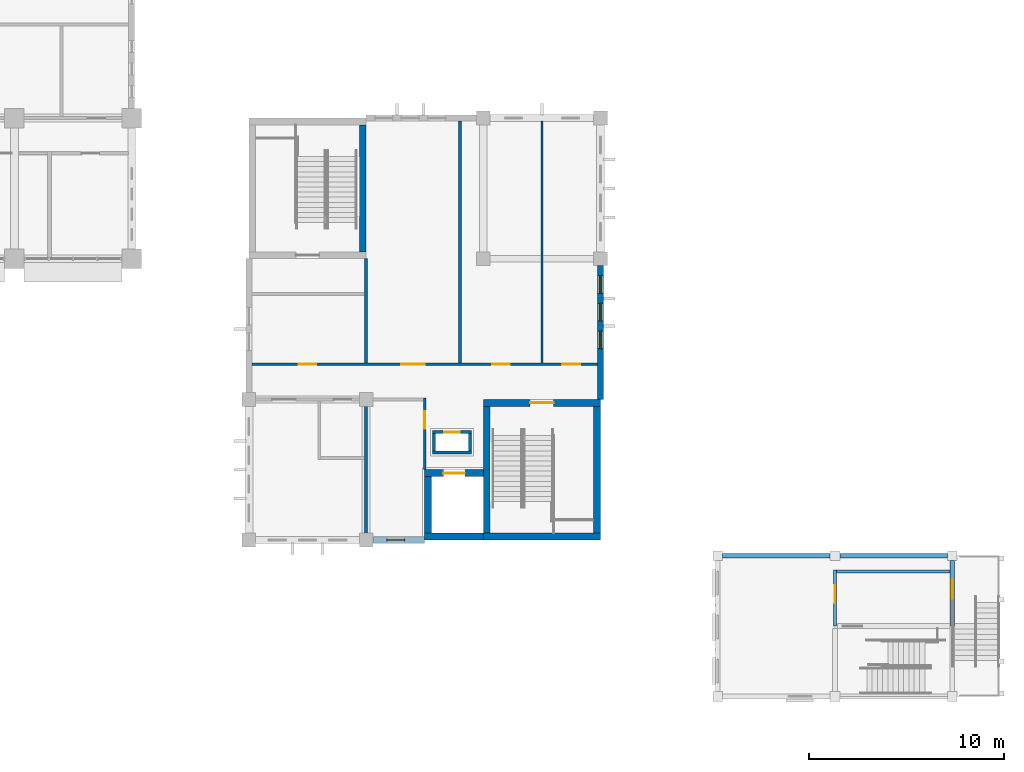
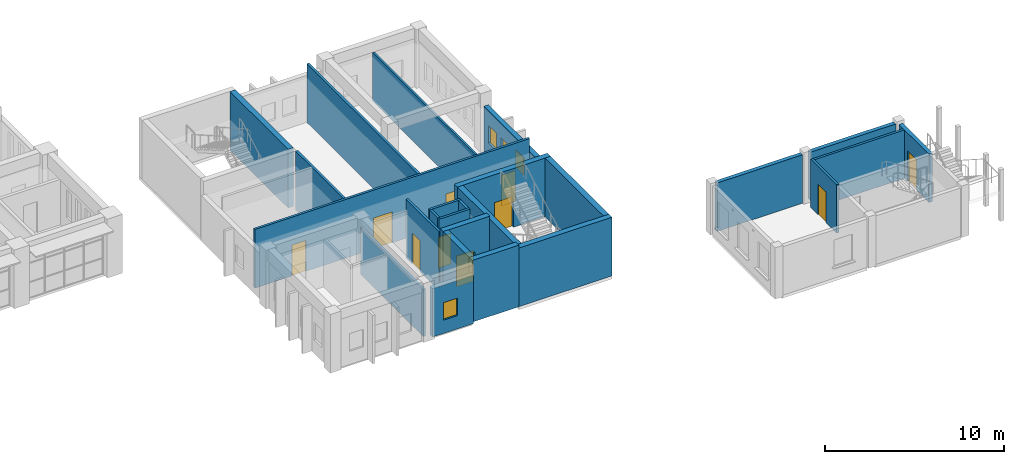
# One storey, part 66 of 92: 25 walls, 10 doors, 4 windows, 14 openings.
"""IFC4 building model written with IfcOpenShell, lengths in metres."""

from ifc_helpers import new_model, si_unit, direction, frame, frame_2d, origin, place, context, subcontext, project, spatial, rectangle, extrude, material, layer, layer_set, type_object, element, fill, save


model = new_model("IFC4")

# Units and contexts
model_context = context("Model", 3, precision=1e-05, world=origin(), true_north=direction((0.0, 1.0)))
body_context = subcontext(model_context, "Body", "Model", "MODEL_VIEW")
ifc_project = project(units=[si_unit("LENGTHUNIT", "METRE"), si_unit("AREAUNIT", "SQUARE_METRE"), si_unit("VOLUMEUNIT", "CUBIC_METRE"), si_unit("PLANEANGLEUNIT", "RADIAN"), si_unit("MASSUNIT", "GRAM", prefix="KILO")], contexts=[model_context])

# Site, building, storey
site_placement = place(None, origin())
site = spatial("IfcSite", under=ifc_project, at=site_placement, CompositionType="ELEMENT")
building_placement = place(site_placement, origin())
building = spatial("IfcBuilding", under=site, at=building_placement, Name="Laocheng Heights Fire and Rescue Headquarters", CompositionType="ELEMENT")
storey_placement = place(building_placement, frame((0.0, 0.0, 12.60009765625)))
storey = spatial("IfcBuildingStorey", under=building, at=storey_placement, Name="L03", CompositionType="ELEMENT", Elevation=12.60009765625)

# Walls
ifc_material_1 = material(Name="Gypsum plaster")
ifc_layer_1 = layer(ifc_material_1, 0.010009765625, Name="PLASTER", Category="plaster")
ifc_material_2 = material(Name="Concrete blockwork MU10", Category="masonry")
ifc_layer_2 = layer(ifc_material_2, 0.1298828125, Name="BLOCKWORK", Category="masonry")
ifc_layer_3 = layer(ifc_material_1, 0.010009765625, Name="PLASTER", Category="plaster")
ifc_layer_set_1 = layer_set([ifc_layer_1, ifc_layer_2, ifc_layer_3], Name="Concrete blockwork MU10")
wall_type_1 = type_object("IfcWallType", Name="BLOCKWORK CORRIDOR WALL 150 EI 60 CREW WING", PredefinedType="PARTITIONING", material=ifc_layer_set_1)
wall_1_placement = place(storey_placement, frame((96.0, 36.14990234375, 0.0), z_axis=(0.0, 0.0, 1.0), x_axis=(0.0, 1.0, 0.0)))
element("IfcWall", 1, at=wall_1_placement, inside=storey, type_object=wall_type_1, Name="Partition L03-002", PredefinedType="PARTITIONING", context=body_context, shape_type="SweptSolid", body=[
    extrude(rectangle(XDim=6.97509765625, YDim=0.14990234375, at=frame_2d((3.487548828125, 0.0))), origin(), (0.0, 0.0, 1.0), 3.199951171875),
])
wall_2_placement = place(storey_placement, frame((96.0, 45.074951171875, 0.0), z_axis=(0.0, 0.0, 1.0), x_axis=(0.0, 1.0, 0.0)))
element("IfcWall", 2, at=wall_2_placement, inside=storey, type_object=wall_type_1, Name="Partition L03-003", PredefinedType="PARTITIONING", context=body_context, shape_type="SweptSolid", body=[
    extrude(rectangle(XDim=5.324951171875, YDim=0.14990234375, at=frame_2d((2.66259765625, 0.0))), origin(), (0.0, 0.0, 1.0), 4.0),
])

# Wall, opening, door
wall_3_placement = place(storey_placement, frame((99.0, 39.60009765625, 0.0), z_axis=(0.0, 0.0, 1.0), x_axis=(0.0, 1.0, 0.0)))
wall_3 = element("IfcWall", 3, at=wall_3_placement, inside=storey, type_object=wall_type_1, Name="Partition L03-004", PredefinedType="PARTITIONING", context=body_context, shape_type="SweptSolid", body=[
    extrude(rectangle(XDim=3.6748046875, YDim=0.14990234375, at=frame_2d((1.83740234375, 0.0))), origin(), (0.0, 0.0, 1.0), 4.0),
])
opening_1_placement = place(wall_3_placement, frame((2.10009765625, 0.0, 0.0)))
opening_1 = element("IfcOpeningElement", 4, at=opening_1_placement, cuts=wall_3, Name="Opening L03-T01", PredefinedType="OPENING", context=body_context, shape_type="SweptSolid", body=[
    extrude(rectangle(XDim=0.89990234375, YDim=2.10009765625, at=frame_2d((0.449951171875, 1.050048828125))), frame((0.0, 0.0849609375, 0.0), z_axis=(0.0, -1.0, 0.0), x_axis=(1.0, 0.0, 0.0)), (0.0, 0.0, 1.0), 0.169921875),
])
ifc_material_3 = material(Name="Timber door leaf, veneered", Category="wood")
door_type_1 = type_object("IfcDoorType", Name="TIMBER DOOR 900x2100 EI 30 CREW WING", OperationType="SINGLE_SWING_LEFT", PredefinedType="DOOR", material=ifc_material_3)
door_1_placement = place(opening_1_placement, origin())
door_1 = element("IfcDoor", 5, at=door_1_placement, inside=storey, type_object=door_type_1, Name="Door L03-T01", OperationType="SINGLE_SWING_RIGHT", OverallHeight=2.10009765625, OverallWidth=0.89990234375, PredefinedType="DOOR", context=body_context, shape_type="SweptSolid", body=[
    extrude(rectangle(XDim=0.89990234375, YDim=2.10009765625, at=frame_2d((0.449951171875, 1.050048828125))), frame((0.0, 0.02490234375, 0.0), z_axis=(0.0, -1.0, 0.0), x_axis=(1.0, 0.0, 0.0)), (0.0, 0.0, 1.0), 0.050048828125),
])
fill(opening_1, door_1)

# Wall
wall_4_placement = place(storey_placement, frame((100.800048828125, 45.074951171875, 0.0), z_axis=(0.0, 0.0, 1.0), x_axis=(0.0, 1.0, 0.0)))
element("IfcWall", 6, at=wall_4_placement, inside=storey, type_object=wall_type_1, Name="Partition L03-005", PredefinedType="PARTITIONING", context=body_context, shape_type="SweptSolid", body=[
    extrude(rectangle(XDim=12.375, YDim=0.14990234375, at=frame_2d((6.1875, 0.0))), origin(), (0.0, 0.0, 1.0), 4.0),
])

# Wall, openings, doors
wall_5_placement = place(storey_placement, frame((90.14990234375, 45.0, 0.0), z_axis=(0.0, 0.0, 1.0), x_axis=(1.0, 0.0, 0.0)))
wall_5 = element("IfcWall", 7, at=wall_5_placement, inside=storey, type_object=wall_type_1, Name="Partition L03-009", PredefinedType="PARTITIONING", context=body_context, shape_type="SweptSolid", body=[
    extrude(rectangle(XDim=17.7001953125, YDim=0.14990234375, at=frame_2d((8.85009765625, 0.0))), origin(), (0.0, 0.0, 1.0), 4.0),
])
opening_2_placement = place(wall_5_placement, frame((2.39990234375, 0.0, 0.0)))
opening_2 = element("IfcOpeningElement", 8, at=opening_2_placement, cuts=wall_5, Name="Opening L03-T04", PredefinedType="OPENING", context=body_context, shape_type="SweptSolid", body=[
    extrude(rectangle(XDim=0.89990234375, YDim=2.10009765625, at=frame_2d((0.449951171875, 1.050048828125))), frame((0.0, 0.0849609375, 0.0), z_axis=(0.0, -1.0, 0.0), x_axis=(1.0, 0.0, 0.0)), (0.0, 0.0, 1.0), 0.169921875),
])
opening_3_placement = place(wall_5_placement, frame((7.64990234375, 0.0, 0.0)))
opening_3 = element("IfcOpeningElement", 9, at=opening_3_placement, cuts=wall_5, Name="Opening L03-T05", PredefinedType="OPENING", context=body_context, shape_type="SweptSolid", body=[
    extrude(rectangle(XDim=1.199951171875, YDim=2.10009765625, at=frame_2d((0.60009765625, 1.050048828125))), frame((0.0, 0.0849609375, 0.0), z_axis=(0.0, -1.0, 0.0), x_axis=(1.0, 0.0, 0.0)), (0.0, 0.0, 1.0), 0.169921875),
])
opening_4_placement = place(wall_5_placement, frame((12.300048828125, 0.0, 0.0)))
opening_4 = element("IfcOpeningElement", 10, at=opening_4_placement, cuts=wall_5, Name="Opening L03-T06", PredefinedType="OPENING", context=body_context, shape_type="SweptSolid", body=[
    extrude(rectangle(XDim=0.89990234375, YDim=2.10009765625, at=frame_2d((0.449951171875, 1.050048828125))), frame((0.0, 0.0849609375, 0.0), z_axis=(0.0, -1.0, 0.0), x_axis=(1.0, 0.0, 0.0)), (0.0, 0.0, 1.0), 0.169921875),
])
opening_5_placement = place(wall_5_placement, frame((15.89990234375, 0.0, 0.0)))
opening_5 = element("IfcOpeningElement", 11, at=opening_5_placement, cuts=wall_5, Name="Opening L03-T07", PredefinedType="OPENING", context=body_context, shape_type="SweptSolid", body=[
    extrude(rectangle(XDim=0.89990234375, YDim=2.10009765625, at=frame_2d((0.449951171875, 1.050048828125))), frame((0.0, 0.0849609375, 0.0), z_axis=(0.0, -1.0, 0.0), x_axis=(1.0, 0.0, 0.0)), (0.0, 0.0, 1.0), 0.169921875),
])
ifc_material_4 = material(Name="Timber door leaf, veneered", Category="wood")
door_type_2 = type_object("IfcDoorType", Name="TIMBER DOOR 1200x2100 EI 30 CREW WING", OperationType="SINGLE_SWING_LEFT", PredefinedType="DOOR", material=ifc_material_4)
door_2_placement = place(opening_3_placement, origin())
door_2 = element("IfcDoor", 12, at=door_2_placement, inside=storey, type_object=door_type_2, Name="Door L03-T05", OperationType="SINGLE_SWING_RIGHT", OverallHeight=2.10009765625, OverallWidth=1.199951171875, PredefinedType="DOOR", context=body_context, shape_type="SweptSolid", body=[
    extrude(rectangle(XDim=1.199951171875, YDim=2.10009765625, at=frame_2d((0.60009765625, 1.050048828125))), frame((0.0, 0.02490234375, 0.0), z_axis=(0.0, -1.0, 0.0), x_axis=(1.0, 0.0, 0.0)), (0.0, 0.0, 1.0), 0.050048828125),
])
fill(opening_3, door_2)
door_3_placement = place(opening_2_placement, origin())
door_3 = element("IfcDoor", 13, at=door_3_placement, inside=storey, type_object=door_type_1, Name="Door L03-T04", OperationType="SINGLE_SWING_LEFT", OverallHeight=2.10009765625, OverallWidth=0.89990234375, PredefinedType="DOOR", context=body_context, shape_type="SweptSolid", body=[
    extrude(rectangle(XDim=0.89990234375, YDim=2.10009765625, at=frame_2d((0.449951171875, 1.050048828125))), frame((0.0, 0.02490234375, 0.0), z_axis=(0.0, -1.0, 0.0), x_axis=(1.0, 0.0, 0.0)), (0.0, 0.0, 1.0), 0.050048828125),
])
fill(opening_2, door_3)
door_4_placement = place(opening_4_placement, origin())
door_4 = element("IfcDoor", 14, at=door_4_placement, inside=storey, type_object=door_type_1, Name="Door L03-T06", OperationType="SINGLE_SWING_LEFT", OverallHeight=2.10009765625, OverallWidth=0.89990234375, PredefinedType="DOOR", context=body_context, shape_type="SweptSolid", body=[
    extrude(rectangle(XDim=0.89990234375, YDim=2.10009765625, at=frame_2d((0.449951171875, 1.050048828125))), frame((0.0, 0.02490234375, 0.0), z_axis=(0.0, -1.0, 0.0), x_axis=(1.0, 0.0, 0.0)), (0.0, 0.0, 1.0), 0.050048828125),
])
fill(opening_4, door_4)
door_5_placement = place(opening_5_placement, origin())
door_5 = element("IfcDoor", 15, at=door_5_placement, inside=storey, type_object=door_type_1, Name="Door L03-T07", OperationType="SINGLE_SWING_RIGHT", OverallHeight=2.10009765625, OverallWidth=0.89990234375, PredefinedType="DOOR", context=body_context, shape_type="SweptSolid", body=[
    extrude(rectangle(XDim=0.89990234375, YDim=2.10009765625, at=frame_2d((0.449951171875, 1.050048828125))), frame((0.0, 0.02490234375, 0.0), z_axis=(0.0, -1.0, 0.0), x_axis=(1.0, 0.0, 0.0)), (0.0, 0.0, 1.0), 0.050048828125),
])
fill(opening_5, door_5)

# Wall, opening, door
ifc_material_5 = material(Name="Gypsum plaster")
ifc_layer_4 = layer(ifc_material_5, 0.010009765625, Name="PLASTER", Category="plaster")
ifc_material_6 = material(Name="Concrete blockwork MU10", Category="masonry")
ifc_layer_5 = layer(ifc_material_6, 0.1298828125, Name="BLOCKWORK", Category="masonry")
ifc_layer_6 = layer(ifc_material_5, 0.010009765625, Name="PLASTER", Category="plaster")
ifc_layer_set_2 = layer_set([ifc_layer_4, ifc_layer_5, ifc_layer_6], Name="Concrete blockwork MU10")
wall_type_2 = type_object("IfcWallType", Name="BLOCKWORK STAIR LANDING WALL 150 EI 120 DRILL TOWER", PredefinedType="PARTITIONING", material=ifc_layer_set_2)
wall_6_placement = place(storey_placement, frame((120.0, 31.60009765625, 1.39990234375), z_axis=(0.0, 0.0, 1.0), x_axis=(0.0, 1.0, 0.0)))
wall_6 = element("IfcWall", 16, at=wall_6_placement, inside=storey, type_object=wall_type_2, Name="Landing partition F5", PredefinedType="PARTITIONING", context=body_context, shape_type="SweptSolid", body=[
    extrude(rectangle(XDim=2.875, YDim=0.14990234375, at=frame_2d((1.4375, 0.0))), origin(), (0.0, 0.0, 1.0), 3.300048828125),
])
opening_6_placement = place(wall_6_placement, frame((1.1875, 0.0, 0.0)))
opening_6 = element("IfcOpeningElement", 17, at=opening_6_placement, cuts=wall_6, Name="Opening L03-L51", PredefinedType="OPENING", context=body_context, shape_type="SweptSolid", body=[
    extrude(rectangle(XDim=0.89990234375, YDim=2.10009765625, at=frame_2d((0.449951171875, 1.050048828125))), frame((0.0, 0.0849609375, 0.0), z_axis=(0.0, -1.0, 0.0), x_axis=(1.0, 0.0, 0.0)), (0.0, 0.0, 1.0), 0.169921875),
])
ifc_material_7 = material(Name="Steel door leaf, painted", Category="steel")
door_type_3 = type_object("IfcDoorType", Name="STEEL FIRE DOOR 900x2100 EI 90 DRILL TOWER", OperationType="SINGLE_SWING_LEFT", PredefinedType="DOOR", material=ifc_material_7)
door_6_placement = place(opening_6_placement, frame((0.89990234375, 0.0, 0.0), z_axis=(0.0, 0.0, 1.0), x_axis=(-1.0, 0.0, 0.0)))
door_6 = element("IfcDoor", 18, at=door_6_placement, inside=storey, type_object=door_type_3, Name="Door L03-L51", OperationType="SINGLE_SWING_LEFT", OverallHeight=2.10009765625, OverallWidth=0.89990234375, PredefinedType="DOOR", context=body_context, shape_type="SweptSolid", body=[
    extrude(rectangle(XDim=0.89990234375, YDim=2.10009765625, at=frame_2d((0.449951171875, 1.050048828125))), frame((0.0, 0.02490234375, 0.0), z_axis=(0.0, -1.0, 0.0), x_axis=(1.0, 0.0, 0.0)), (0.0, 0.0, 1.0), 0.050048828125),
])
fill(opening_6, door_6)

# Wall
wall_7_placement = place(storey_placement, frame((120.074951171875, 34.39990234375, 1.39990234375), z_axis=(0.0, 0.0, 1.0), x_axis=(1.0, 0.0, 0.0)))
element("IfcWall", 19, at=wall_7_placement, inside=storey, type_object=wall_type_2, Name="Landing partition F5", PredefinedType="PARTITIONING", context=body_context, shape_type="SweptSolid", body=[
    extrude(rectangle(XDim=5.800048828125, YDim=0.14990234375, at=frame_2d((2.89990234375, 0.0))), origin(), (0.0, 0.0, 1.0), 3.300048828125),
])

# Wall, openings, windows
ifc_material_8 = material(Name="Precast concrete C40/50", Category="concrete")
ifc_layer_7 = layer(ifc_material_8, 0.300048828125)
ifc_layer_set_3 = layer_set([ifc_layer_7], Name="Precast concrete C40/50")
wall_type_3 = type_object("IfcWallType", Name="PRECAST WALL PANEL CREW 300", PredefinedType="SOLIDWALL", material=ifc_layer_set_3)
wall_8_placement = place(storey_placement, frame((108.0, 43.199951171875, 0.0), z_axis=(0.0, 0.0, 1.0), x_axis=(0.0, 1.0, 0.0)))
wall_8 = element("IfcWall", 20, at=wall_8_placement, inside=storey, type_object=wall_type_3, Name="PRECAST WALL PANEL CREW CREW EAST L03", PredefinedType="SOLIDWALL", context=body_context, shape_type="SweptSolid", body=[
    extrude(rectangle(XDim=6.85009765625, YDim=0.300048828125, at=frame_2d((3.425048828125, 0.0))), origin(), (0.0, 0.0, 1.0), 3.099853515625),
])
opening_7_placement = place(wall_8_placement, frame((2.597412109375, 0.0, 0.89990234375)))
opening_7 = element("IfcOpeningElement", 21, at=opening_7_placement, cuts=wall_8, Name="Opening N2-W", PredefinedType="OPENING", context=body_context, shape_type="SweptSolid", body=[
    extrude(rectangle(XDim=0.89990234375, YDim=1.199951171875, at=frame_2d((0.449951171875, 0.60009765625))), frame((0.0, 0.159912109375, 0.0), z_axis=(0.0, -1.0, 0.0), x_axis=(1.0, 0.0, 0.0)), (0.0, 0.0, 1.0), 0.320068359375),
])
opening_8_placement = place(wall_8_placement, frame((4.014892578125, 0.0, 0.89990234375)))
opening_8 = element("IfcOpeningElement", 22, at=opening_8_placement, cuts=wall_8, Name="Opening N2-W", PredefinedType="OPENING", context=body_context, shape_type="SweptSolid", body=[
    extrude(rectangle(XDim=0.89990234375, YDim=1.199951171875, at=frame_2d((0.449951171875, 0.60009765625))), frame((0.0, 0.159912109375, 0.0), z_axis=(0.0, -1.0, 0.0), x_axis=(1.0, 0.0, 0.0)), (0.0, 0.0, 1.0), 0.320068359375),
])
opening_9_placement = place(wall_8_placement, frame((5.4326171875, 0.0, 0.89990234375)))
opening_9 = element("IfcOpeningElement", 23, at=opening_9_placement, cuts=wall_8, Name="Opening N2-W", PredefinedType="OPENING", context=body_context, shape_type="SweptSolid", body=[
    extrude(rectangle(XDim=0.89990234375, YDim=1.199951171875, at=frame_2d((0.449951171875, 0.60009765625))), frame((0.0, 0.159912109375, 0.0), z_axis=(0.0, -1.0, 0.0), x_axis=(1.0, 0.0, 0.0)), (0.0, 0.0, 1.0), 0.320068359375),
])
ifc_material_9 = material(Name="Low-e double glazing in aluminium frame", Category="aluminium")
window_type = type_object("IfcWindowType", Name="WINDOW 900 x 1200 CREW DORMITORY", PartitioningType="SINGLE_PANEL", PredefinedType="WINDOW", material=ifc_material_9)
window_1_placement = place(opening_7_placement, origin())
window_1 = element("IfcWindow", 24, at=window_1_placement, inside=storey, type_object=window_type, Name="CREW DORMITORY CREW EAST L03", OverallHeight=1.199951171875, OverallWidth=0.89990234375, PartitioningType="SINGLE_PANEL", PredefinedType="WINDOW", context=body_context, shape_type="SweptSolid", body=[
    extrude(rectangle(XDim=0.89990234375, YDim=1.199951171875, at=frame_2d((0.449951171875, 0.60009765625))), frame((0.0, 0.030029296875, 0.0), z_axis=(0.0, -1.0, 0.0), x_axis=(1.0, 0.0, 0.0)), (0.0, 0.0, 1.0), 0.06005859375),
])
fill(opening_7, window_1)
window_2_placement = place(opening_8_placement, origin())
window_2 = element("IfcWindow", 25, at=window_2_placement, inside=storey, type_object=window_type, Name="CREW DORMITORY CREW EAST L03", OverallHeight=1.199951171875, OverallWidth=0.89990234375, PartitioningType="SINGLE_PANEL", PredefinedType="WINDOW", context=body_context, shape_type="SweptSolid", body=[
    extrude(rectangle(XDim=0.89990234375, YDim=1.199951171875, at=frame_2d((0.449951171875, 0.60009765625))), frame((0.0, 0.030029296875, 0.0), z_axis=(0.0, -1.0, 0.0), x_axis=(1.0, 0.0, 0.0)), (0.0, 0.0, 1.0), 0.06005859375),
])
fill(opening_8, window_2)
window_3_placement = place(opening_9_placement, origin())
window_3 = element("IfcWindow", 26, at=window_3_placement, inside=storey, type_object=window_type, Name="CREW DORMITORY CREW EAST L03", OverallHeight=1.199951171875, OverallWidth=0.89990234375, PartitioningType="SINGLE_PANEL", PredefinedType="WINDOW", context=body_context, shape_type="SweptSolid", body=[
    extrude(rectangle(XDim=0.89990234375, YDim=1.199951171875, at=frame_2d((0.449951171875, 0.60009765625))), frame((0.0, 0.030029296875, 0.0), z_axis=(0.0, -1.0, 0.0), x_axis=(1.0, 0.0, 0.0)), (0.0, 0.0, 1.0), 0.06005859375),
])
fill(opening_9, window_3)

# Wall, opening, window
wall_9_placement = place(storey_placement, frame((96.35009765625, 36.0, 0.0), z_axis=(0.0, 0.0, 1.0), x_axis=(1.0, 0.0, 0.0)))
wall_9 = element("IfcWall", 27, at=wall_9_placement, inside=storey, type_object=wall_type_3, Name="PRECAST WALL PANEL CREW CREW SOUTH L03", PredefinedType="SOLIDWALL", context=body_context, shape_type="SweptSolid", body=[
    extrude(rectangle(XDim=2.64990234375, YDim=0.300048828125, at=frame_2d((1.324951171875, 0.0))), origin(), (0.0, 0.0, 1.0), 3.2998046875),
])
opening_10_placement = place(wall_9_placement, frame((0.715087890625, 0.0, 0.89990234375)))
opening_10 = element("IfcOpeningElement", 28, at=opening_10_placement, cuts=wall_9, Name="Opening N2-W", PredefinedType="OPENING", context=body_context, shape_type="SweptSolid", body=[
    extrude(rectangle(XDim=0.89990234375, YDim=1.199951171875, at=frame_2d((0.449951171875, 0.60009765625))), frame((0.0, 0.159912109375, 0.0), z_axis=(0.0, -1.0, 0.0), x_axis=(1.0, 0.0, 0.0)), (0.0, 0.0, 1.0), 0.320068359375),
])
window_4_placement = place(opening_10_placement, origin())
window_4 = element("IfcWindow", 29, at=window_4_placement, inside=storey, type_object=window_type, Name="CREW DORMITORY CREW SOUTH L03", OverallHeight=1.199951171875, OverallWidth=0.89990234375, PartitioningType="SINGLE_PANEL", PredefinedType="WINDOW", context=body_context, shape_type="SweptSolid", body=[
    extrude(rectangle(XDim=0.89990234375, YDim=1.199951171875, at=frame_2d((0.449951171875, 0.60009765625))), frame((0.0, 0.030029296875, 0.0), z_axis=(0.0, -1.0, 0.0), x_axis=(1.0, 0.0, 0.0)), (0.0, 0.0, 1.0), 0.06005859375),
])
fill(opening_10, window_4)

# Wall
ifc_material_10 = material(Name="Concrete C50", Category="concrete")
ifc_layer_8 = layer(ifc_material_10, 0.35009765625)
ifc_layer_set_4 = layer_set([ifc_layer_8], Name="Concrete C50")
wall_type_4 = type_object("IfcWallType", Name="RC LIFT SHAFT WALL 350", PredefinedType="SHEAR", material=ifc_layer_set_4)
wall_10_placement = place(storey_placement, frame((99.0, 36.175048828125, 0.0), z_axis=(0.0, 0.0, 1.0), x_axis=(1.0, 0.0, 0.0)))
element("IfcWall", 30, at=wall_10_placement, inside=storey, type_object=wall_type_4, Name="Lift shaft wall", PredefinedType="SHEAR", context=body_context, shape_type="SweptSolid", body=[
    extrude(rectangle(XDim=3.0, YDim=0.35009765625, at=frame_2d((1.5, 0.0))), origin(), (0.0, 0.0, 1.0), 4.199951171875),
])

# Wall, opening, door
wall_11_placement = place(storey_placement, frame((99.0, 39.425048828125, 0.0), z_axis=(0.0, 0.0, 1.0), x_axis=(1.0, 0.0, 0.0)))
wall_11 = element("IfcWall", 31, at=wall_11_placement, inside=storey, type_object=wall_type_4, Name="Lift shaft wall", PredefinedType="SHEAR", context=body_context, shape_type="SweptSolid", body=[
    extrude(rectangle(XDim=3.0, YDim=0.35009765625, at=frame_2d((1.5, 0.0))), origin(), (0.0, 0.0, 1.0), 4.199951171875),
])
opening_11_placement = place(wall_11_placement, frame((0.949951171875, 0.0, 0.0)))
opening_11 = element("IfcOpeningElement", 32, at=opening_11_placement, cuts=wall_11, Name="Opening L03-K11", PredefinedType="OPENING", context=body_context, shape_type="SweptSolid", body=[
    extrude(rectangle(XDim=1.10009765625, YDim=2.10009765625, at=frame_2d((0.550048828125, 1.050048828125))), frame((0.0, 0.18505859375, 0.0), z_axis=(0.0, -1.0, 0.0), x_axis=(1.0, 0.0, 0.0)), (0.0, 0.0, 1.0), 0.3701171875),
])
ifc_material_11 = material(Name="Stainless steel", Category="steel")
door_type_4 = type_object("IfcDoorType", Name="LANDING DOOR C-L1 SLIDING 1100x2100 E 120", OperationType="DOUBLE_DOOR_SLIDING", PredefinedType="DOOR", material=ifc_material_11)
door_7_placement = place(opening_11_placement, origin())
door_7 = element("IfcDoor", 33, at=door_7_placement, inside=storey, type_object=door_type_4, Name="Landing door C-L1", OperationType="DOUBLE_DOOR_SLIDING", OverallHeight=2.10009765625, OverallWidth=1.10009765625, PredefinedType="DOOR", context=body_context, shape_type="SweptSolid", body=[
    extrude(rectangle(XDim=1.10009765625, YDim=2.10009765625, at=frame_2d((0.550048828125, 1.050048828125))), frame((0.0, 0.02490234375, 0.0), z_axis=(0.0, -1.0, 0.0), x_axis=(1.0, 0.0, 0.0)), (0.0, 0.0, 1.0), 0.050048828125),
])
fill(opening_11, door_7)

# Walls
wall_12_placement = place(storey_placement, frame((99.175048828125, 36.35009765625, 0.0), z_axis=(0.0, 0.0, 1.0), x_axis=(0.0, 1.0, 0.0)))
element("IfcWall", 34, at=wall_12_placement, inside=storey, type_object=wall_type_4, Name="Lift shaft wall", PredefinedType="SHEAR", context=body_context, shape_type="SweptSolid", body=[
    extrude(rectangle(XDim=2.89990234375, YDim=0.35009765625, at=frame_2d((1.449951171875, 0.0))), origin(), (0.0, 0.0, 1.0), 4.199951171875),
])
ifc_material_12 = material(Name="Concrete C40", Category="concrete")
ifc_layer_9 = layer(ifc_material_12, 0.25)
ifc_layer_set_5 = layer_set([ifc_layer_9], Name="Concrete C40")
wall_type_5 = type_object("IfcWallType", Name="RC SHEAR WALL 250 BOARD-MARKED DRILL TOWER", PredefinedType="SHEAR", material=ifc_layer_set_5)
for number, where, z_axis, x_axis, name in (
    (35, (114.25, 35.199951171875, 1.39990234375), (0.0, 0.0, 1.0), (1.0, 0.0, 0.0), "Drill tower wall N F5"),
    (36, (120.25, 35.199951171875, 1.39990234375), (0.0, 0.0, 1.0), (1.0, 0.0, 0.0), "Drill tower wall N F5"),
):
    element("IfcWall", number, at=place(storey_placement, frame(where, z_axis=z_axis, x_axis=x_axis)), inside=storey, type_object=wall_type_5, Name=name, PredefinedType="SHEAR", context=body_context, shape_type="SweptSolid", body=[
        extrude(rectangle(XDim=5.5, YDim=0.25, at=frame_2d((2.75, 0.0))), origin(), (0.0, 0.0, 1.0), 3.300048828125),
    ])

# Wall, opening, door
wall_13_placement = place(storey_placement, frame((126.0, 31.60009765625, 1.39990234375), z_axis=(0.0, 0.0, 1.0), x_axis=(0.0, 1.0, 0.0)))
wall_13 = element("IfcWall", 37, at=wall_13_placement, inside=storey, type_object=wall_type_5, Name="Drill tower wall E F5", PredefinedType="SHEAR", context=body_context, shape_type="SweptSolid", body=[
    extrude(rectangle(XDim=3.349853515625, YDim=0.25, at=frame_2d((1.6748046875, 0.0))), origin(), (0.0, 0.0, 1.0), 3.300048828125),
])
opening_12_placement = place(wall_13_placement, frame((1.39990234375, 0.0, 0.0)))
opening_12 = element("IfcOpeningElement", 38, at=opening_12_placement, cuts=wall_13, Name="Opening L03-L01", PredefinedType="OPENING", context=body_context, shape_type="SweptSolid", body=[
    extrude(rectangle(XDim=1.0, YDim=2.10009765625, at=frame_2d((0.5, 1.050048828125))), frame((0.0, 0.135009765625, 0.0), z_axis=(0.0, -1.0, 0.0), x_axis=(1.0, 0.0, 0.0)), (0.0, 0.0, 1.0), 0.27001953125),
])
ifc_material_13 = material(Name="Steel door leaf, painted", Category="steel")
door_type_5 = type_object("IfcDoorType", Name="STEEL DOOR 1000x2100 EI 60 DRILL TOWER", OperationType="SINGLE_SWING_LEFT", PredefinedType="DOOR", material=ifc_material_13)
door_8_placement = place(opening_12_placement, origin())
door_8 = element("IfcDoor", 39, at=door_8_placement, inside=storey, type_object=door_type_5, Name="Door L03-L01", OperationType="SINGLE_SWING_RIGHT", OverallHeight=2.10009765625, OverallWidth=1.0, PredefinedType="DOOR", context=body_context, shape_type="SweptSolid", body=[
    extrude(rectangle(XDim=1.0, YDim=2.10009765625, at=frame_2d((0.5, 1.050048828125))), frame((0.0, 0.02490234375, 0.0), z_axis=(0.0, -1.0, 0.0), x_axis=(1.0, 0.0, 0.0)), (0.0, 0.0, 1.0), 0.050048828125),
])
fill(opening_12, door_8)

# Wall
ifc_material_14 = material(Name="Concrete C50", Category="concrete")
ifc_layer_10 = layer(ifc_material_14, 0.35009765625)
ifc_layer_set_6 = layer_set([ifc_layer_10], Name="Concrete C50")
wall_type_6 = type_object("IfcWallType", Name="RC STAIR ENCLOSURE WALL 350", PredefinedType="SHEAR", material=ifc_layer_set_6)
wall_14_placement = place(storey_placement, frame((102.0, 36.175048828125, 0.0), z_axis=(0.0, 0.0, 1.0), x_axis=(1.0, 0.0, 0.0)))
element("IfcWall", 40, at=wall_14_placement, inside=storey, type_object=wall_type_6, Name="Stair enclosure wall", PredefinedType="SHEAR", context=body_context, shape_type="SweptSolid", body=[
    extrude(rectangle(XDim=6.0, YDim=0.35009765625, at=frame_2d((3.0, 0.0))), origin(), (0.0, 0.0, 1.0), 4.0),
])

# Wall, opening, door
wall_15_placement = place(storey_placement, frame((102.0, 43.02490234375, 0.0), z_axis=(0.0, 0.0, 1.0), x_axis=(1.0, 0.0, 0.0)))
wall_15 = element("IfcWall", 41, at=wall_15_placement, inside=storey, type_object=wall_type_6, Name="Stair enclosure wall", PredefinedType="SHEAR", context=body_context, shape_type="SweptSolid", body=[
    extrude(rectangle(XDim=6.0, YDim=0.35009765625, at=frame_2d((3.0, 0.0))), origin(), (0.0, 0.0, 1.0), 4.0),
])
opening_13_placement = place(wall_15_placement, frame((2.39990234375, 0.0, 0.0)))
opening_13 = element("IfcOpeningElement", 42, at=opening_13_placement, cuts=wall_15, Name="Opening L03-K10", PredefinedType="OPENING", context=body_context, shape_type="SweptSolid", body=[
    extrude(rectangle(XDim=1.199951171875, YDim=2.10009765625, at=frame_2d((0.60009765625, 1.050048828125))), frame((0.0, 0.18505859375, 0.0), z_axis=(0.0, -1.0, 0.0), x_axis=(1.0, 0.0, 0.0)), (0.0, 0.0, 1.0), 0.3701171875),
])
ifc_material_15 = material(Name="Painted steel", Category="steel")
door_type_6 = type_object("IfcDoorType", Name="FIRE DOOR 1200x2100 EI 60", OperationType="SINGLE_SWING_LEFT", PredefinedType="DOOR", material=ifc_material_15)
door_9_placement = place(opening_13_placement, frame((1.199951171875, 0.0, 0.0), z_axis=(0.0, 0.0, 1.0), x_axis=(-1.0, 0.0, 0.0)))
door_9 = element("IfcDoor", 43, at=door_9_placement, inside=storey, type_object=door_type_6, Name="Stair C1 door", OperationType="SINGLE_SWING_RIGHT", OverallHeight=2.10009765625, OverallWidth=1.199951171875, PredefinedType="DOOR", context=body_context, shape_type="SweptSolid", body=[
    extrude(rectangle(XDim=1.199951171875, YDim=2.10009765625, at=frame_2d((0.60009765625, 1.050048828125))), frame((0.0, 0.02490234375, 0.0), z_axis=(0.0, -1.0, 0.0), x_axis=(1.0, 0.0, 0.0)), (0.0, 0.0, 1.0), 0.050048828125),
])
fill(opening_13, door_9)

# Walls
for number, where, z_axis, x_axis, name in (
    (44, (102.175048828125, 36.35009765625, 0.0), (0.0, 0.0, 1.0), (0.0, 1.0, 0.0), "Stair enclosure wall"),
    (45, (107.824951171875, 36.35009765625, 0.0), (0.0, 0.0, 1.0), (0.0, 1.0, 0.0), "Stair enclosure wall"),
    (46, (95.824951171875, 50.75, 0.0), (0.0, 0.0, 1.0), (0.0, 1.0, 0.0), "Stair enclosure wall"),
):
    element("IfcWall", number, at=place(storey_placement, frame(where, z_axis=z_axis, x_axis=x_axis)), inside=storey, type_object=wall_type_6, Name=name, PredefinedType="SHEAR", context=body_context, shape_type="SweptSolid", body=[
        extrude(rectangle(XDim=6.5, YDim=0.35009765625, at=frame_2d((3.25, 0.0))), origin(), (0.0, 0.0, 1.0), 4.0),
    ])
ifc_material_16 = material(Name="Concrete C30", Category="concrete")
ifc_layer_11 = layer(ifc_material_16, 0.14990234375)
ifc_layer_set_7 = layer_set([ifc_layer_11], Name="Concrete C30")
wall_type_7 = type_object("IfcWallType", Name="RISER SHAFT WALL 150", PredefinedType="SOLIDWALL", material=ifc_layer_set_7)
wall_16_placement = place(storey_placement, frame((99.39990234375, 40.47509765625, 0.0), z_axis=(0.0, 0.0, 1.0), x_axis=(1.0, 0.0, 0.0)))
element("IfcWall", 47, at=wall_16_placement, inside=storey, type_object=wall_type_7, Name="Riser shaft wall", PredefinedType="SOLIDWALL", context=body_context, shape_type="SweptSolid", body=[
    extrude(rectangle(XDim=2.0, YDim=0.14990234375, at=frame_2d((1.0, 0.0))), origin(), (0.0, 0.0, 1.0), 4.199951171875),
])

# Wall, opening, door
wall_17_placement = place(storey_placement, frame((99.39990234375, 41.52490234375, 0.0), z_axis=(0.0, 0.0, 1.0), x_axis=(1.0, 0.0, 0.0)))
wall_17 = element("IfcWall", 48, at=wall_17_placement, inside=storey, type_object=wall_type_7, Name="Riser shaft wall", PredefinedType="SOLIDWALL", context=body_context, shape_type="SweptSolid", body=[
    extrude(rectangle(XDim=2.0, YDim=0.14990234375, at=frame_2d((1.0, 0.0))), origin(), (0.0, 0.0, 1.0), 4.199951171875),
])
opening_14_placement = place(wall_17_placement, frame((0.60009765625, 0.0, 0.0)))
opening_14 = element("IfcOpeningElement", 49, at=opening_14_placement, cuts=wall_17, Name="Opening L03-K12", PredefinedType="OPENING", context=body_context, shape_type="SweptSolid", body=[
    extrude(rectangle(XDim=0.800048828125, YDim=2.10009765625, at=frame_2d((0.39990234375, 1.050048828125))), frame((0.0, 0.0849609375, 0.0), z_axis=(0.0, -1.0, 0.0), x_axis=(1.0, 0.0, 0.0)), (0.0, 0.0, 1.0), 0.169921875),
])
ifc_material_17 = material(Name="Painted steel", Category="steel")
door_type_7 = type_object("IfcDoorType", Name="RISER ACCESS DOOR 800x2100 EI 30", OperationType="SINGLE_SWING_LEFT", PredefinedType="DOOR", material=ifc_material_17)
door_10_placement = place(opening_14_placement, origin())
door_10 = element("IfcDoor", 50, at=door_10_placement, inside=storey, type_object=door_type_7, Name="Riser RC1 access door", OperationType="SINGLE_SWING_LEFT", OverallHeight=2.10009765625, OverallWidth=0.800048828125, PredefinedType="DOOR", context=body_context, shape_type="SweptSolid", body=[
    extrude(rectangle(XDim=0.800048828125, YDim=2.10009765625, at=frame_2d((0.39990234375, 1.050048828125))), frame((0.0, 0.02490234375, 0.0), z_axis=(0.0, -1.0, 0.0), x_axis=(1.0, 0.0, 0.0)), (0.0, 0.0, 1.0), 0.050048828125),
])
fill(opening_14, door_10)

# Walls
for number, where, z_axis, x_axis, name in (
    (51, (99.47509765625, 40.550048828125, 0.0), (0.0, 0.0, 1.0), (0.0, 1.0, 0.0), "Riser shaft wall"),
    (52, (101.324951171875, 40.550048828125, 0.0), (0.0, 0.0, 1.0), (0.0, 1.0, 0.0), "Riser shaft wall"),
):
    element("IfcWall", number, at=place(storey_placement, frame(where, z_axis=z_axis, x_axis=x_axis)), inside=storey, type_object=wall_type_7, Name=name, PredefinedType="SOLIDWALL", context=body_context, shape_type="SweptSolid", body=[
        extrude(rectangle(XDim=0.89990234375, YDim=0.14990234375, at=frame_2d((0.449951171875, 0.0))), origin(), (0.0, 0.0, 1.0), 4.199951171875),
    ])
ifc_material_18 = material(Name="Gypsum plasterboard")
ifc_layer_12 = layer(ifc_material_18, 0.02490234375, Name="OUTER PLASTERBOARD", Category="board")
ifc_material_19 = material(Name="Steel studs with mineral wool fill", Category="steel")
ifc_layer_13 = layer(ifc_material_19, 0.070068359375, Name="STEEL STUD AND MINERAL WOOL", Category="insulation")
ifc_layer_14 = layer(ifc_material_18, 0.02490234375, Name="INNER PLASTERBOARD", Category="board")
ifc_layer_set_8 = layer_set([ifc_layer_12, ifc_layer_13, ifc_layer_14], Name="Gypsum board on steel stud")
wall_type_8 = type_object("IfcWallType", Name="STUD PARTITION 120 EI 45 CREW WING", PredefinedType="PARTITIONING", material=ifc_layer_set_8)
wall_18_placement = place(storey_placement, frame((105.0, 45.074951171875, 0.0), z_axis=(0.0, 0.0, 1.0), x_axis=(0.0, 1.0, 0.0)))
element("IfcWall", 53, at=wall_18_placement, inside=storey, type_object=wall_type_8, Name="Partition L03-006", PredefinedType="PARTITIONING", context=body_context, shape_type="SweptSolid", body=[
    extrude(rectangle(XDim=12.375, YDim=0.1201171875, at=frame_2d((6.1875, 0.0))), origin(), (0.0, 0.0, 1.0), 3.2998046875),
])

save(model, "model.ifc")
